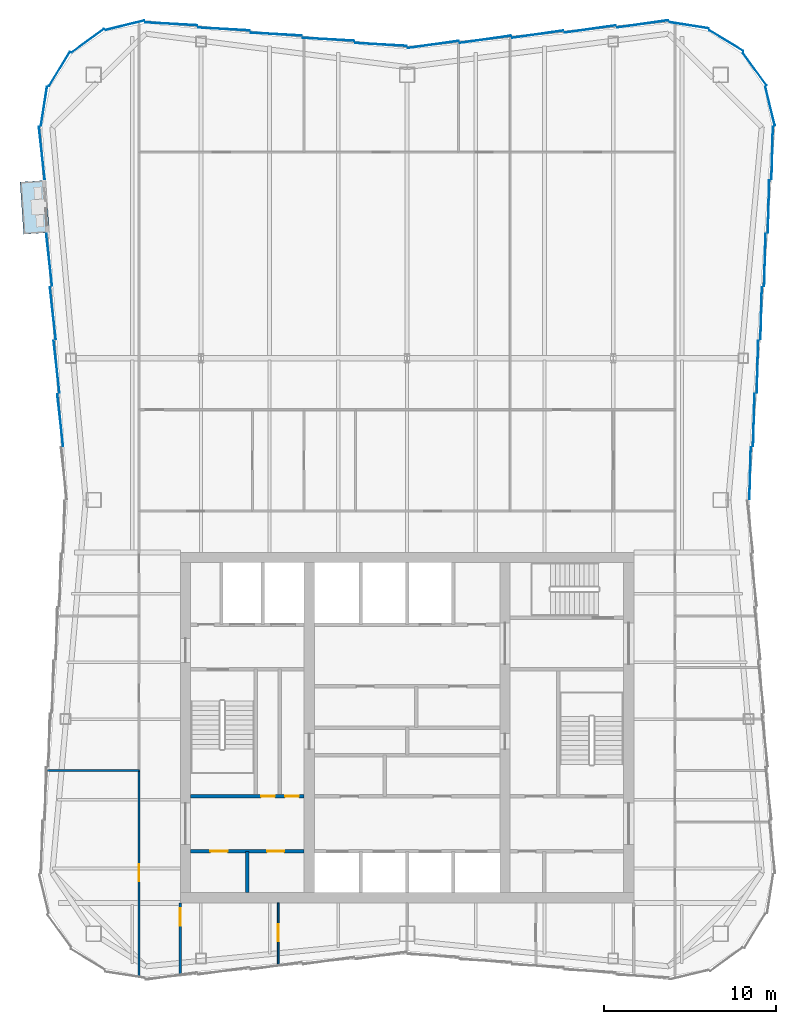
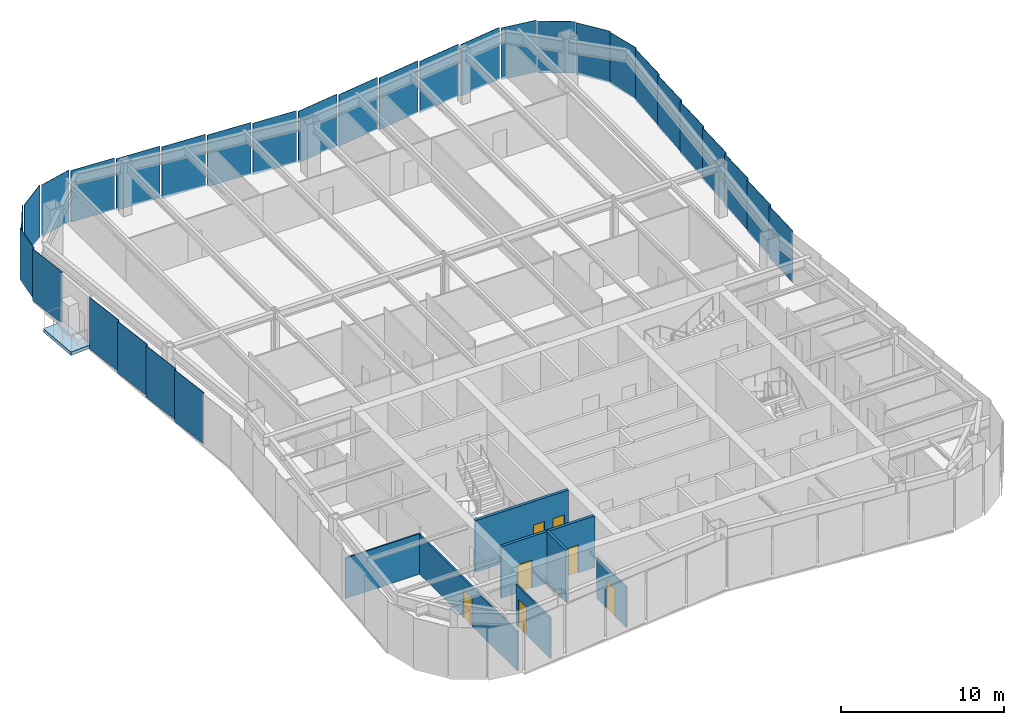
# One storey, part 5 of 11: 30 plates, 7 doors, 7 walls, 1 slab, 7 openings, 5 elements without a shape of their own.
"""IFC4 building model written with IfcOpenShell, lengths in metres."""

from ifc_helpers import new_model, si_unit, direction, frame, frame_2d, origin, origin_2d, place, context, subcontext, project, spatial, polyline, rectangle, outline, extrude, material, layer, layer_set, type_object, element, fill, aggregate, save


model = new_model("IFC4")

# Units and contexts
model_context = context("Model", 3, precision=1e-05, world=origin(), true_north=direction((0.0, 1.0)))
body_context = subcontext(model_context, "Body", "Model", "MODEL_VIEW")
ifc_project = project(units=[si_unit("LENGTHUNIT", "METRE"), si_unit("AREAUNIT", "SQUARE_METRE"), si_unit("VOLUMEUNIT", "CUBIC_METRE"), si_unit("PLANEANGLEUNIT", "RADIAN"), si_unit("MASSUNIT", "GRAM", prefix="KILO")], contexts=[model_context])

# Site, building, storey
site_placement = place(None, origin())
site = spatial("IfcSite", under=ifc_project, at=site_placement, CompositionType="ELEMENT")
building_placement = place(site_placement, origin())
building = spatial("IfcBuilding", under=site, at=building_placement, Name="Verdant Reach Tower", CompositionType="ELEMENT")
storey_placement = place(building_placement, frame((0.0, 0.0, 314.0)))
storey = spatial("IfcBuildingStorey", under=building, at=storey_placement, Name="L72", CompositionType="ELEMENT", Elevation=314.0)

# Slab
ifc_material_1 = material(Name="Concrete C35/45", Category="concrete")
ifc_layer_1 = layer(ifc_material_1, 0.25)
ifc_layer_set_1 = layer_set([ifc_layer_1], Name="EN-BALCONY SLAB")
slab_type = type_object("IfcSlabType", Name="EN-BALCONY SLAB", PredefinedType="FLOOR", material=ifc_layer_set_1)
slab_placement = place(storey_placement, frame((0.0, 0.0, -0.25)))
element("IfcSlab", 1, at=slab_placement, inside=storey, type_object=slab_type, Name="Balcony slab 1, L72", PredefinedType="FLOOR", context=body_context, shape_type="SweptSolid", body=[
    extrude(outline(polyline([(-21.033203125, 59.85791015625), (-20.82373046875, 56.820556640625), (-22.3203125, 56.717529296875), (-22.52978515625, 59.754638671875), (-21.033203125, 59.85791015625)])), origin(), (0.0, 0.0, 1.0), 0.25),
])

# Curtain wall, plates
ifc_material_2 = material(Name="Anodised aluminium", Category="aluminium")
curtain_wall_type = type_object("IfcCurtainWallType", Name="EN-CW SYSTEM Z5", PredefinedType="NOTDEFINED", material=ifc_material_2)
curtain_wall_1_placement = place(storey_placement, origin())
curtain_wall_1 = element("IfcCurtainWall", 2, at=curtain_wall_1_placement, inside=storey, type_object=curtain_wall_type, Name="Curtain wall east, L72", PredefinedType="NOTDEFINED")
ifc_material_3 = material(Name="Tinted glass with champagne spandrel", Category="glass")
ifc_layer_2 = layer(ifc_material_3, 0.031982421875)
ifc_layer_set_2 = layer_set([ifc_layer_2], Name="EN-PANEL CHAMPAGNE")
plate_type_1 = type_object("IfcPlateType", Name="EN-PANEL CHAMPAGNE", PredefinedType="CURTAIN_PANEL", material=ifc_layer_set_2)
plate_1_placement = place(storey_placement, frame((19.971923828125, 42.799560546875, -0.219970703125), z_axis=(0.0, 0.0, 1.0), x_axis=(0.027053006415, 0.999634000444, 0.0)))
plate_1 = element("IfcPlate", 3, at=plate_1_placement, type_object=plate_type_1, Name="Glass panel east face part 2 1.1, L72", PredefinedType="CURTAIN_PANEL", context=body_context, shape_type="SweptSolid", body=[
    extrude(rectangle(XDim=3.04052734375, YDim=0.031982421875, at=origin_2d()), origin(), (0.0, 0.0, 1.0), 3.8701171875),
])
plate_2_placement = place(storey_placement, frame((20.18603515625, 45.90283203125, -0.219970703125), z_axis=(0.0, 0.0, 1.0), x_axis=(0.026965318308, 0.999636369691, 0.0)))
plate_2 = element("IfcPlate", 4, at=plate_2_placement, type_object=plate_type_1, Name="Glass panel east face part 2 2.1, L72", PredefinedType="CURTAIN_PANEL", context=body_context, shape_type="SweptSolid", body=[
    extrude(rectangle(XDim=3.048583984375, YDim=0.031982421875, at=origin_2d()), origin(), (0.0, 0.0, 1.0), 3.8701171875),
])

# Curtain wall, plate
curtain_wall_2_placement = place(storey_placement, origin())
curtain_wall_2 = element("IfcCurtainWall", 5, at=curtain_wall_2_placement, inside=storey, type_object=curtain_wall_type, Name="Curtain wall north-east corner, L72", PredefinedType="NOTDEFINED")
plate_3_placement = place(storey_placement, frame((21.132080078125, 64.173828125, -0.219970703125), z_axis=(0.0, 0.0, 1.0), x_axis=(-0.236471447122, 0.971638438256, 0.0)))
plate_3 = element("IfcPlate", 6, at=plate_3_placement, type_object=plate_type_1, Name="Glass panel north-east corner 1.1, L72", PredefinedType="CURTAIN_PANEL", context=body_context, shape_type="SweptSolid", body=[
    extrude(rectangle(XDim=2.312744140625, YDim=0.031982421875, at=origin_2d()), origin(), (0.0, 0.0, 1.0), 3.8701171875),
])

curtain_wall_3_placement = place(storey_placement, origin())
curtain_wall_3 = element("IfcCurtainWall", 7, at=curtain_wall_3_placement, inside=storey, type_object=curtain_wall_type, Name="Curtain wall north, L72", PredefinedType="NOTDEFINED")
plate_4_placement = place(storey_placement, frame((1.519287109375, 67.7646484375, -0.219970703125), z_axis=(0.0, 0.0, 1.0), x_axis=(-0.990200074141, -0.139656053116, 0.0)))
plate_4 = element("IfcPlate", 8, at=plate_4_placement, type_object=plate_type_1, Name="Glass panel north face part 1 5.1, L72", PredefinedType="CURTAIN_PANEL", context=body_context, shape_type="SweptSolid", body=[
    extrude(rectangle(XDim=2.987548828125, YDim=0.031982421875, at=origin_2d()), origin(), (0.0, 0.0, 1.0), 3.8701171875),
])

# Curtain wall, plates
curtain_wall_4_placement = place(storey_placement, origin())
curtain_wall_4 = element("IfcCurtainWall", 9, at=curtain_wall_4_placement, inside=storey, type_object=curtain_wall_type, Name="Curtain wall west, L72", PredefinedType="NOTDEFINED")
plate_5_placement = place(storey_placement, frame((-20.8291015625, 55.22412109375, -0.219970703125), z_axis=(0.0, 0.0, 1.0), x_axis=(0.110518162674, -0.993874104562, 0.0)))
plate_5 = element("IfcPlate", 10, at=plate_5_placement, type_object=plate_type_1, Name="Glass panel west face part 1 3.1, L72", PredefinedType="CURTAIN_PANEL", context=body_context, shape_type="SweptSolid", body=[
    extrude(rectangle(XDim=3.048583984375, YDim=0.031982421875, at=origin_2d()), origin(), (0.0, 0.0, 1.0), 3.8701171875),
])
plate_6_placement = place(storey_placement, frame((-20.61474609375, 52.1171875, -0.219970703125), z_axis=(0.0, 0.0, 1.0), x_axis=(0.110518162674, -0.993874104562, 0.0)))
plate_6 = element("IfcPlate", 11, at=plate_6_placement, type_object=plate_type_1, Name="Glass panel west face part 1 4.1, L72", PredefinedType="CURTAIN_PANEL", context=body_context, shape_type="SweptSolid", body=[
    extrude(rectangle(XDim=3.048583984375, YDim=0.031982421875, at=origin_2d()), origin(), (0.0, 0.0, 1.0), 3.8701171875),
])
plate_7_placement = place(storey_placement, frame((-20.400390625, 49.010009765625, -0.219970703125), z_axis=(0.0, 0.0, 1.0), x_axis=(0.110518162674, -0.993874104562, 0.0)))
plate_7 = element("IfcPlate", 12, at=plate_7_placement, type_object=plate_type_1, Name="Glass panel west face part 1 5.1, L72", PredefinedType="CURTAIN_PANEL", context=body_context, shape_type="SweptSolid", body=[
    extrude(rectangle(XDim=3.048583984375, YDim=0.031982421875, at=origin_2d()), origin(), (0.0, 0.0, 1.0), 3.8701171875),
])

# Plate
ifc_material_4 = material(Name="Tinted glass with copper spandrel", Category="glass")
ifc_layer_3 = layer(ifc_material_4, 0.031982421875)
ifc_layer_set_3 = layer_set([ifc_layer_3], Name="EN-PANEL COPPER")
plate_type_2 = type_object("IfcPlateType", Name="EN-PANEL COPPER", PredefinedType="CURTAIN_PANEL", material=ifc_layer_set_3)
plate_8_placement = place(storey_placement, frame((20.400390625, 49.010009765625, -0.219970703125), z_axis=(0.0, 0.0, 1.0), x_axis=(0.026965318308, 0.999636369691, 0.0)))
plate_8 = element("IfcPlate", 13, at=plate_8_placement, type_object=plate_type_2, Name="Glass panel east face part 2 3.1, L72", PredefinedType="CURTAIN_PANEL", context=body_context, shape_type="SweptSolid", body=[
    extrude(rectangle(XDim=3.048583984375, YDim=0.031982421875, at=origin_2d()), origin(), (0.0, 0.0, 1.0), 3.8701171875),
])

plate_9_placement = place(storey_placement, frame((20.61474609375, 52.1171875, -0.219970703125), z_axis=(0.0, 0.0, 1.0), x_axis=(0.026965318308, 0.999636369691, 0.0)))
plate_9 = element("IfcPlate", 14, at=plate_9_placement, type_object=plate_type_2, Name="Glass panel east face part 2 4.1, L72", PredefinedType="CURTAIN_PANEL", context=body_context, shape_type="SweptSolid", body=[
    extrude(rectangle(XDim=3.048583984375, YDim=0.031982421875, at=origin_2d()), origin(), (0.0, 0.0, 1.0), 3.8701171875),
])

plate_10_placement = place(storey_placement, frame((20.8291015625, 55.22412109375, -0.219970703125), z_axis=(0.0, 0.0, 1.0), x_axis=(0.026965318308, 0.999636369691, 0.0)))
plate_10 = element("IfcPlate", 15, at=plate_10_placement, type_object=plate_type_2, Name="Glass panel east face part 2 5.1, L72", PredefinedType="CURTAIN_PANEL", context=body_context, shape_type="SweptSolid", body=[
    extrude(rectangle(XDim=3.048583984375, YDim=0.031982421875, at=origin_2d()), origin(), (0.0, 0.0, 1.0), 3.8701171875),
])

plate_11_placement = place(storey_placement, frame((20.23681640625, 66.33203125, -0.219970703125), z_axis=(0.0, 0.0, 1.0), x_axis=(-0.58992672698, 0.807456783236, 0.0)))
plate_11 = element("IfcPlate", 16, at=plate_11_placement, type_object=plate_type_2, Name="Glass panel north-east corner 2.1, L72", PredefinedType="CURTAIN_PANEL", context=body_context, shape_type="SweptSolid", body=[
    extrude(rectangle(XDim=2.320068359375, YDim=0.031982421875, at=origin_2d()), origin(), (0.0, 0.0, 1.0), 3.8701171875),
])

plate_12_placement = place(storey_placement, frame((18.58203125, 67.98681640625, -0.219970703125), z_axis=(0.0, 0.0, 1.0), x_axis=(-0.853988714885, 0.520291528711, 0.0)))
plate_12 = element("IfcPlate", 17, at=plate_12_placement, type_object=plate_type_2, Name="Glass panel north-east corner 3.1, L72", PredefinedType="CURTAIN_PANEL", context=body_context, shape_type="SweptSolid", body=[
    extrude(rectangle(XDim=2.320068359375, YDim=0.031982421875, at=origin_2d()), origin(), (0.0, 0.0, 1.0), 3.8701171875),
])

plate_13_placement = place(storey_placement, frame((13.72216796875, 68.964599609375, -0.219970703125), z_axis=(0.0, 0.0, 1.0), x_axis=(-0.990281521639, -0.139077345032, 0.0)))
plate_13 = element("IfcPlate", 18, at=plate_13_placement, type_object=plate_type_2, Name="Glass panel north face part 1 1.1, L72", PredefinedType="CURTAIN_PANEL", context=body_context, shape_type="SweptSolid", body=[
    extrude(rectangle(XDim=3.015625, YDim=0.031982421875, at=origin_2d()), origin(), (0.0, 0.0, 1.0), 3.8701171875),
])

plate_14_placement = place(storey_placement, frame((-1.519287109375, 67.7646484375, -0.219970703125), z_axis=(0.0, 0.0, 1.0), x_axis=(-0.998413420442, 0.05630845301, 0.0)))
plate_14 = element("IfcPlate", 19, at=plate_14_placement, type_object=plate_type_2, Name="Glass panel north face part 2 1.1, L72", PredefinedType="CURTAIN_PANEL", context=body_context, shape_type="SweptSolid", body=[
    extrude(rectangle(XDim=2.987548828125, YDim=0.031982421875, at=origin_2d()), origin(), (0.0, 0.0, 1.0), 3.8701171875),
])

plate_15_placement = place(storey_placement, frame((-4.563720703125, 68.064453125, -0.219970703125), z_axis=(0.0, 0.0, 1.0), x_axis=(-0.998423588956, 0.056127863106, 0.0)))
plate_15 = element("IfcPlate", 20, at=plate_15_placement, type_object=plate_type_2, Name="Glass panel north face part 2 2.1, L72", PredefinedType="CURTAIN_PANEL", context=body_context, shape_type="SweptSolid", body=[
    extrude(rectangle(XDim=2.998779296875, YDim=0.031982421875, at=origin_2d()), origin(), (0.0, 0.0, 1.0), 3.8701171875),
])

plate_16_placement = place(storey_placement, frame((-7.61376953125, 68.364501953125, -0.219970703125), z_axis=(0.0, 0.0, 1.0), x_axis=(-0.998423588956, 0.056127863106, 0.0)))
plate_16 = element("IfcPlate", 21, at=plate_16_placement, type_object=plate_type_2, Name="Glass panel north face part 2 3.1, L72", PredefinedType="CURTAIN_PANEL", context=body_context, shape_type="SweptSolid", body=[
    extrude(rectangle(XDim=2.998779296875, YDim=0.031982421875, at=origin_2d()), origin(), (0.0, 0.0, 1.0), 3.8701171875),
])

# Curtain wall, plate
curtain_wall_5_placement = place(storey_placement, origin())
curtain_wall_5 = element("IfcCurtainWall", 22, at=curtain_wall_5_placement, inside=storey, type_object=curtain_wall_type, Name="Curtain wall north-west corner, L72", PredefinedType="NOTDEFINED")
plate_17_placement = place(storey_placement, frame((-16.4228515625, 68.88232421875, -0.219970703125), z_axis=(0.0, 0.0, 1.0), x_axis=(-0.971661765526, -0.236375577028, 0.0)))
plate_17 = element("IfcPlate", 23, at=plate_17_placement, type_object=plate_type_2, Name="Glass panel north-west corner 1.1, L72", PredefinedType="CURTAIN_PANEL", context=body_context, shape_type="SweptSolid", body=[
    extrude(rectangle(XDim=2.314453125, YDim=0.031982421875, at=origin_2d()), origin(), (0.0, 0.0, 1.0), 3.8701171875),
])

# Plate
plate_18_placement = place(storey_placement, frame((-20.18603515625, 45.90283203125, -0.219970703125), z_axis=(0.0, 0.0, 1.0), x_axis=(0.110518162674, -0.993874104562, 0.0)))
plate_18 = element("IfcPlate", 24, at=plate_18_placement, type_object=plate_type_2, Name="Glass panel west face part 1 6.1, L72", PredefinedType="CURTAIN_PANEL", context=body_context, shape_type="SweptSolid", body=[
    extrude(rectangle(XDim=3.048583984375, YDim=0.031982421875, at=origin_2d()), origin(), (0.0, 0.0, 1.0), 3.8701171875),
])

ifc_material_5 = material(Name="Tinted glass with dark bronze spandrel", Category="glass")
ifc_layer_4 = layer(ifc_material_5, 0.031982421875)
ifc_layer_set_4 = layer_set([ifc_layer_4], Name="EN-PANEL DARK")
plate_type_3 = type_object("IfcPlateType", Name="EN-PANEL DARK", PredefinedType="CURTAIN_PANEL", material=ifc_layer_set_4)
plate_19_placement = place(storey_placement, frame((21.043212890625, 58.331298828125, -0.219970703125), z_axis=(0.0, 0.0, 1.0), x_axis=(0.026965318308, 0.999636369691, 0.0)))
plate_19 = element("IfcPlate", 25, at=plate_19_placement, type_object=plate_type_3, Name="Glass panel east face part 2 6.1, L72", PredefinedType="CURTAIN_PANEL", context=body_context, shape_type="SweptSolid", body=[
    extrude(rectangle(XDim=3.048583984375, YDim=0.031982421875, at=origin_2d()), origin(), (0.0, 0.0, 1.0), 3.8701171875),
])

plate_20_placement = place(storey_placement, frame((21.257568359375, 61.446044921875, -0.219970703125), z_axis=(0.0, 0.0, 1.0), x_axis=(0.026642881595, 0.999645015423, 0.0)))
plate_20 = element("IfcPlate", 26, at=plate_20_placement, type_object=plate_type_3, Name="Glass panel east face part 2 7.1, L72", PredefinedType="CURTAIN_PANEL", context=body_context, shape_type="SweptSolid", body=[
    extrude(rectangle(XDim=3.063720703125, YDim=0.031982421875, at=origin_2d()), origin(), (0.0, 0.0, 1.0), 3.8701171875),
])

aggregate(curtain_wall_1, [plate_1, plate_2, plate_8, plate_9, plate_10, plate_19, plate_20])

plate_21_placement = place(storey_placement, frame((16.4228515625, 68.88232421875, -0.219970703125), z_axis=(0.0, 0.0, 1.0), x_axis=(-0.988033409454, 0.154240013621, 0.0)))
plate_21 = element("IfcPlate", 27, at=plate_21_placement, type_object=plate_type_3, Name="Glass panel north-east corner 4.1, L72", PredefinedType="CURTAIN_PANEL", context=body_context, shape_type="SweptSolid", body=[
    extrude(rectangle(XDim=2.314453125, YDim=0.031982421875, at=origin_2d()), origin(), (0.0, 0.0, 1.0), 3.8701171875),
])

aggregate(curtain_wall_2, [plate_3, plate_11, plate_12, plate_21])

plate_22_placement = place(storey_placement, frame((10.663818359375, 68.66455078125, -0.219970703125), z_axis=(0.0, 0.0, 1.0), x_axis=(-0.990225318365, -0.139476947446, 0.0)))
plate_22 = element("IfcPlate", 28, at=plate_22_placement, type_object=plate_type_3, Name="Glass panel north face part 1 2.1, L72", PredefinedType="CURTAIN_PANEL", context=body_context, shape_type="SweptSolid", body=[
    extrude(rectangle(XDim=2.998779296875, YDim=0.031982421875, at=origin_2d()), origin(), (0.0, 0.0, 1.0), 3.8701171875),
])

plate_23_placement = place(storey_placement, frame((7.61376953125, 68.364501953125, -0.219970703125), z_axis=(0.0, 0.0, 1.0), x_axis=(-0.990225318365, -0.139476947446, 0.0)))
plate_23 = element("IfcPlate", 29, at=plate_23_placement, type_object=plate_type_3, Name="Glass panel north face part 1 3.1, L72", PredefinedType="CURTAIN_PANEL", context=body_context, shape_type="SweptSolid", body=[
    extrude(rectangle(XDim=2.998779296875, YDim=0.031982421875, at=origin_2d()), origin(), (0.0, 0.0, 1.0), 3.8701171875),
])

plate_24_placement = place(storey_placement, frame((4.563720703125, 68.064453125, -0.219970703125), z_axis=(0.0, 0.0, 1.0), x_axis=(-0.990225318365, -0.139476947446, 0.0)))
plate_24 = element("IfcPlate", 30, at=plate_24_placement, type_object=plate_type_3, Name="Glass panel north face part 1 4.1, L72", PredefinedType="CURTAIN_PANEL", context=body_context, shape_type="SweptSolid", body=[
    extrude(rectangle(XDim=2.998779296875, YDim=0.031982421875, at=origin_2d()), origin(), (0.0, 0.0, 1.0), 3.8701171875),
])

plate_25_placement = place(storey_placement, frame((-10.663818359375, 68.66455078125, -0.219970703125), z_axis=(0.0, 0.0, 1.0), x_axis=(-0.998423588956, 0.056127863106, 0.0)))
plate_25 = element("IfcPlate", 31, at=plate_25_placement, type_object=plate_type_3, Name="Glass panel north face part 2 4.1, L72", PredefinedType="CURTAIN_PANEL", context=body_context, shape_type="SweptSolid", body=[
    extrude(rectangle(XDim=2.998779296875, YDim=0.031982421875, at=origin_2d()), origin(), (0.0, 0.0, 1.0), 3.8701171875),
])

plate_26_placement = place(storey_placement, frame((-13.72216796875, 68.964599609375, -0.219970703125), z_axis=(0.0, 0.0, 1.0), x_axis=(-0.998446157248, 0.055724959185, 0.0)))
plate_26 = element("IfcPlate", 32, at=plate_26_placement, type_object=plate_type_3, Name="Glass panel north face part 2 5.1, L72", PredefinedType="CURTAIN_PANEL", context=body_context, shape_type="SweptSolid", body=[
    extrude(rectangle(XDim=3.015625, YDim=0.031982421875, at=origin_2d()), origin(), (0.0, 0.0, 1.0), 3.8701171875),
])

aggregate(curtain_wall_3, [plate_13, plate_22, plate_23, plate_24, plate_4, plate_14, plate_15, plate_16, plate_25, plate_26])

plate_27_placement = place(storey_placement, frame((-18.58203125, 67.98681640625, -0.219970703125), z_axis=(0.0, 0.0, 1.0), x_axis=(-0.807456783236, -0.58992672698, 0.0)))
plate_27 = element("IfcPlate", 33, at=plate_27_placement, type_object=plate_type_3, Name="Glass panel north-west corner 2.1, L72", PredefinedType="CURTAIN_PANEL", context=body_context, shape_type="SweptSolid", body=[
    extrude(rectangle(XDim=2.320068359375, YDim=0.031982421875, at=origin_2d()), origin(), (0.0, 0.0, 1.0), 3.8701171875),
])

plate_28_placement = place(storey_placement, frame((-20.23681640625, 66.33203125, -0.219970703125), z_axis=(0.0, 0.0, 1.0), x_axis=(-0.520291528711, -0.853988714885, 0.0)))
plate_28 = element("IfcPlate", 34, at=plate_28_placement, type_object=plate_type_3, Name="Glass panel north-west corner 3.1, L72", PredefinedType="CURTAIN_PANEL", context=body_context, shape_type="SweptSolid", body=[
    extrude(rectangle(XDim=2.320068359375, YDim=0.031982421875, at=origin_2d()), origin(), (0.0, 0.0, 1.0), 3.8701171875),
])

plate_29_placement = place(storey_placement, frame((-21.132080078125, 64.173828125, -0.219970703125), z_axis=(0.0, 0.0, 1.0), x_axis=(-0.154337499461, -0.988018186199, 0.0)))
plate_29 = element("IfcPlate", 35, at=plate_29_placement, type_object=plate_type_3, Name="Glass panel north-west corner 4.1, L72", PredefinedType="CURTAIN_PANEL", context=body_context, shape_type="SweptSolid", body=[
    extrude(rectangle(XDim=2.312744140625, YDim=0.031982421875, at=origin_2d()), origin(), (0.0, 0.0, 1.0), 3.8701171875),
])

aggregate(curtain_wall_5, [plate_17, plate_27, plate_28, plate_29])

plate_30_placement = place(storey_placement, frame((-21.257568359375, 61.446044921875, -0.219970703125), z_axis=(0.0, 0.0, 1.0), x_axis=(0.110197580247, -0.993909700782, 0.0)))
plate_30 = element("IfcPlate", 36, at=plate_30_placement, type_object=plate_type_3, Name="Glass panel west face part 1 1.1, L72", PredefinedType="CURTAIN_PANEL", context=body_context, shape_type="SweptSolid", body=[
    extrude(rectangle(XDim=3.063720703125, YDim=0.031982421875, at=origin_2d()), origin(), (0.0, 0.0, 1.0), 3.8701171875),
])

aggregate(curtain_wall_4, [plate_30, plate_5, plate_6, plate_7, plate_18])

# Wall, openings, doors
ifc_material_6 = material(Name="Gypsum board on steel studs", Category="steel")
ifc_layer_5 = layer(ifc_material_6, 0.199951171875)
ifc_layer_set_5 = layer_set([ifc_layer_5], Name="CO-WALL-ROOM")
wall_type_1 = type_object("IfcWallType", Name="CO-WALL-ROOM", PredefinedType="PARTITIONING", material=ifc_layer_set_5)
wall_1_placement = place(storey_placement, frame((-12.60009765625, 20.800048828125, 0.0), z_axis=(0.0, 0.0, 1.0), x_axis=(1.0, 0.0, 0.0)))
wall_1 = element("IfcWall", 37, at=wall_1_placement, inside=storey, type_object=wall_type_1, Name="Core partition, L72", PredefinedType="PARTITIONING", context=body_context, shape_type="SweptSolid", body=[
    extrude(rectangle(XDim=6.60009765625, YDim=0.199951171875, at=frame_2d((3.300048828125, 0.0))), origin(), (0.0, 0.0, 1.0), 3.8701171875),
])
opening_1_placement = place(wall_1_placement, frame((1.14990234375, 0.0, 0.0)))
opening_1 = element("IfcOpeningElement", 38, at=opening_1_placement, cuts=wall_1, Name="Opening CD", PredefinedType="OPENING", context=body_context, shape_type="SweptSolid", body=[
    extrude(rectangle(XDim=1.0, YDim=2.10009765625, at=frame_2d((0.5, 1.050048828125))), frame((0.0, 0.10986328125, 0.0), z_axis=(0.0, -1.0, 0.0), x_axis=(1.0, 0.0, 0.0)), (0.0, 0.0, 1.0), 0.219970703125),
])
opening_2_placement = place(wall_1_placement, frame((4.449951171875, 0.0, 0.0)))
opening_2 = element("IfcOpeningElement", 39, at=opening_2_placement, cuts=wall_1, Name="Opening CD", PredefinedType="OPENING", context=body_context, shape_type="SweptSolid", body=[
    extrude(rectangle(XDim=1.0, YDim=2.10009765625, at=frame_2d((0.5, 1.050048828125))), frame((0.0, 0.10986328125, 0.0), z_axis=(0.0, -1.0, 0.0), x_axis=(1.0, 0.0, 0.0)), (0.0, 0.0, 1.0), 0.219970703125),
])
ifc_material_7 = material(Name="Timber", Category="wood")
door_type_1 = type_object("IfcDoorType", Name="CO-DOOR-ROOM", OperationType="NOTDEFINED", PredefinedType="DOOR", material=ifc_material_7)
door_1_placement = place(opening_1_placement, origin())
door_1 = element("IfcDoor", 40, at=door_1_placement, inside=storey, type_object=door_type_1, Name="Core room door, L72", OperationType="SINGLE_SWING_LEFT", OverallHeight=2.10009765625, OverallWidth=1.0, PredefinedType="DOOR", context=body_context, shape_type="SweptSolid", body=[
    extrude(rectangle(XDim=1.0, YDim=2.10009765625, at=frame_2d((0.5, 1.050048828125))), frame((0.0, 0.02490234375, 0.0), z_axis=(0.0, -1.0, 0.0), x_axis=(1.0, 0.0, 0.0)), (0.0, 0.0, 1.0), 0.050048828125),
])
fill(opening_1, door_1)
door_2_placement = place(opening_2_placement, origin())
door_2 = element("IfcDoor", 41, at=door_2_placement, inside=storey, type_object=door_type_1, Name="Core room door, L72", OperationType="SINGLE_SWING_LEFT", OverallHeight=2.10009765625, OverallWidth=1.0, PredefinedType="DOOR", context=body_context, shape_type="SweptSolid", body=[
    extrude(rectangle(XDim=1.0, YDim=2.10009765625, at=frame_2d((0.5, 1.050048828125))), frame((0.0, 0.02490234375, 0.0), z_axis=(0.0, -1.0, 0.0), x_axis=(1.0, 0.0, 0.0)), (0.0, 0.0, 1.0), 0.050048828125),
])
fill(opening_2, door_2)

# Wall
wall_2_placement = place(storey_placement, frame((-9.300048828125, 18.39990234375, 0.0), z_axis=(0.0, 0.0, 1.0), x_axis=(0.0, 1.0, 0.0)))
element("IfcWall", 42, at=wall_2_placement, inside=storey, type_object=wall_type_1, Name="Core partition, L72", PredefinedType="PARTITIONING", context=body_context, shape_type="SweptSolid", body=[
    extrude(rectangle(XDim=2.400146484375, YDim=0.199951171875, at=frame_2d((1.2001953125, 0.0))), origin(), (0.0, 0.0, 1.0), 3.8701171875),
])

# Wall, openings, doors
ifc_material_8 = material(Name="Concrete C40/50", Category="concrete")
ifc_layer_6 = layer(ifc_material_8, 0.199951171875)
ifc_layer_set_6 = layer_set([ifc_layer_6], Name="CO-WALL-STAIR")
wall_type_2 = type_object("IfcWallType", Name="CO-WALL-STAIR", PredefinedType="PARTITIONING", material=ifc_layer_set_6)
wall_3_placement = place(storey_placement, frame((-12.60009765625, 24.0, 0.0), z_axis=(0.0, 0.0, 1.0), x_axis=(1.0, 0.0, 0.0)))
wall_3 = element("IfcWall", 43, at=wall_3_placement, inside=storey, type_object=wall_type_2, Name="Stair enclosure wall, L72", PredefinedType="PARTITIONING", context=body_context, shape_type="SweptSolid", body=[
    extrude(rectangle(XDim=6.60009765625, YDim=0.199951171875, at=frame_2d((3.300048828125, 0.0))), origin(), (0.0, 0.0, 1.0), 3.8701171875),
])
opening_3_placement = place(wall_3_placement, frame((4.10009765625, 0.0, 0.0)))
opening_3 = element("IfcOpeningElement", 44, at=opening_3_placement, cuts=wall_3, Name="Opening CDN", PredefinedType="OPENING", context=body_context, shape_type="SweptSolid", body=[
    extrude(rectangle(XDim=0.800048828125, YDim=2.10009765625, at=frame_2d((0.39990234375, 1.050048828125))), frame((0.0, 0.10986328125, 0.0), z_axis=(0.0, -1.0, 0.0), x_axis=(1.0, 0.0, 0.0)), (0.0, 0.0, 1.0), 0.219970703125),
])
opening_4_placement = place(wall_3_placement, frame((5.5, 0.0, 0.0)))
opening_4 = element("IfcOpeningElement", 45, at=opening_4_placement, cuts=wall_3, Name="Opening CDN", PredefinedType="OPENING", context=body_context, shape_type="SweptSolid", body=[
    extrude(rectangle(XDim=0.800048828125, YDim=2.10009765625, at=frame_2d((0.39990234375, 1.050048828125))), frame((0.0, 0.10986328125, 0.0), z_axis=(0.0, -1.0, 0.0), x_axis=(1.0, 0.0, 0.0)), (0.0, 0.0, 1.0), 0.219970703125),
])
door_type_2 = type_object("IfcDoorType", Name="CO-DOOR-ROOM-NARROW", OperationType="NOTDEFINED", PredefinedType="DOOR", material=ifc_material_7)
door_3_placement = place(opening_3_placement, origin())
door_3 = element("IfcDoor", 46, at=door_3_placement, inside=storey, type_object=door_type_2, Name="Core room door, L72", OperationType="SINGLE_SWING_LEFT", OverallHeight=2.10009765625, OverallWidth=0.800048828125, PredefinedType="DOOR", context=body_context, shape_type="SweptSolid", body=[
    extrude(rectangle(XDim=0.800048828125, YDim=2.10009765625, at=frame_2d((0.39990234375, 1.050048828125))), frame((0.0, 0.02490234375, 0.0), z_axis=(0.0, -1.0, 0.0), x_axis=(1.0, 0.0, 0.0)), (0.0, 0.0, 1.0), 0.050048828125),
])
fill(opening_3, door_3)
door_4_placement = place(opening_4_placement, origin())
door_4 = element("IfcDoor", 47, at=door_4_placement, inside=storey, type_object=door_type_2, Name="Core room door, L72", OperationType="SINGLE_SWING_RIGHT", OverallHeight=2.10009765625, OverallWidth=0.800048828125, PredefinedType="DOOR", context=body_context, shape_type="SweptSolid", body=[
    extrude(rectangle(XDim=0.800048828125, YDim=2.10009765625, at=frame_2d((0.39990234375, 1.050048828125))), frame((0.0, 0.02490234375, 0.0), z_axis=(0.0, -1.0, 0.0), x_axis=(1.0, 0.0, 0.0)), (0.0, 0.0, 1.0), 0.050048828125),
])
fill(opening_4, door_4)

# Wall
ifc_layer_7 = layer(ifc_material_6, 0.10009765625)
ifc_layer_set_7 = layer_set([ifc_layer_7], Name="FL-W1 Partition 100")
wall_type_3 = type_object("IfcWallType", Name="FL-W1 Partition 100", PredefinedType="PARTITIONING", material=ifc_layer_set_7)
wall_4_placement = place(storey_placement, frame((-15.60009765625, 25.5, 0.0), z_axis=(0.0, 0.0, 1.0), x_axis=(-1.0, 0.0, 0.0)))
element("IfcWall", 48, at=wall_4_placement, inside=storey, type_object=wall_type_3, Name="Partition 72.18", PredefinedType="PARTITIONING", context=body_context, shape_type="SweptSolid", body=[
    extrude(rectangle(XDim=5.316162109375, YDim=0.10009765625, at=frame_2d((2.658203125, 0.0))), origin(), (0.0, 0.0, 1.0), 3.0400390625),
])

# Wall, opening, door
wall_5_placement = place(storey_placement, frame((-7.5, 17.800048828125, 0.0), z_axis=(0.0, 0.0, 1.0), x_axis=(0.0, -1.0, 0.0)))
wall_5 = element("IfcWall", 49, at=wall_5_placement, inside=storey, type_object=wall_type_3, Name="Partition 72.31", PredefinedType="PARTITIONING", context=body_context, shape_type="SweptSolid", body=[
    extrude(rectangle(XDim=3.61767578125, YDim=0.10009765625, at=frame_2d((1.808837890625, 0.0))), origin(), (0.0, 0.0, 1.0), 3.0400390625),
])
opening_5_placement = place(wall_5_placement, frame((1.24365234375, 0.0, 0.0)))
opening_5 = element("IfcOpeningElement", 50, at=opening_5_placement, cuts=wall_5, Name="Opening D3", PredefinedType="OPENING", context=body_context, shape_type="SweptSolid", body=[
    extrude(rectangle(XDim=1.0, YDim=2.10009765625, at=frame_2d((0.5, 1.050048828125))), frame((0.0, 0.06005859375, 0.0), z_axis=(0.0, -1.0, 0.0), x_axis=(1.0, 0.0, 0.0)), (0.0, 0.0, 1.0), 0.1201171875),
])
ifc_material_9 = material(Name="Painted timber door leaf", Category="wood")
door_type_3 = type_object("IfcDoorType", Name="FL-D3 Door 1000x2100", OperationType="NOTDEFINED", PredefinedType="DOOR", material=ifc_material_9)
door_5_placement = place(opening_5_placement, origin())
door_5 = element("IfcDoor", 51, at=door_5_placement, inside=storey, type_object=door_type_3, Name="Door 72-015", OperationType="SINGLE_SWING_LEFT", OverallHeight=2.10009765625, OverallWidth=1.0, PredefinedType="DOOR", context=body_context, shape_type="SweptSolid", body=[
    extrude(rectangle(XDim=1.0, YDim=2.10009765625, at=frame_2d((0.5, 1.050048828125))), frame((0.0, 0.02490234375, 0.0), z_axis=(0.0, -1.0, 0.0), x_axis=(1.0, 0.0, 0.0)), (0.0, 0.0, 1.0), 0.050048828125),
])
fill(opening_5, door_5)

ifc_material_10 = material(Name="Gypsum board on steel studs, fire rated", Category="steel")
ifc_layer_8 = layer(ifc_material_10, 0.125)
ifc_layer_set_8 = layer_set([ifc_layer_8], Name="FL-W2 Corridor wall 125")
wall_type_4 = type_object("IfcWallType", Name="FL-W2 Corridor wall 125", PredefinedType="PARTITIONING", material=ifc_layer_set_8)
wall_6_placement = place(storey_placement, frame((-15.60009765625, 13.489501953125, 0.0), z_axis=(0.0, 0.0, 1.0), x_axis=(0.0, 1.0, 0.0)))
wall_6 = element("IfcWall", 52, at=wall_6_placement, inside=storey, type_object=wall_type_4, Name="Partition 72.01", PredefinedType="PARTITIONING", context=body_context, shape_type="SweptSolid", body=[
    extrude(rectangle(XDim=12.010498046875, YDim=0.125, at=frame_2d((6.00537109375, 0.0))), origin(), (0.0, 0.0, 1.0), 2.929931640625),
])
opening_6_placement = place(wall_6_placement, frame((5.57080078125, 0.0, 0.0)))
opening_6 = element("IfcOpeningElement", 53, at=opening_6_placement, cuts=wall_6, Name="Opening D2", PredefinedType="OPENING", context=body_context, shape_type="SweptSolid", body=[
    extrude(rectangle(XDim=1.0, YDim=2.10009765625, at=frame_2d((0.5, 1.050048828125))), frame((0.0, 0.072509765625, 0.0), z_axis=(0.0, -1.0, 0.0), x_axis=(1.0, 0.0, 0.0)), (0.0, 0.0, 1.0), 0.14501953125),
])
ifc_material_11 = material(Name="Timber door leaf, fire rated", Category="wood")
door_type_4 = type_object("IfcDoorType", Name="FL-D2 Entrance door 1000x2100 FD30", OperationType="NOTDEFINED", PredefinedType="DOOR", material=ifc_material_11)
door_6_placement = place(opening_6_placement, origin())
door_6 = element("IfcDoor", 54, at=door_6_placement, inside=storey, type_object=door_type_4, Name="Door 72-001", OperationType="SINGLE_SWING_RIGHT", OverallHeight=2.10009765625, OverallWidth=1.0, PredefinedType="DOOR", context=body_context, shape_type="SweptSolid", body=[
    extrude(rectangle(XDim=1.0, YDim=2.10009765625, at=frame_2d((0.5, 1.050048828125))), frame((0.0, 0.02490234375, 0.0), z_axis=(0.0, -1.0, 0.0), x_axis=(1.0, 0.0, 0.0)), (0.0, 0.0, 1.0), 0.050048828125),
])
fill(opening_6, door_6)

wall_7_placement = place(storey_placement, frame((-13.199951171875, 17.800048828125, 0.0), z_axis=(0.0, 0.0, 1.0), x_axis=(0.0, -1.0, 0.0)))
wall_7 = element("IfcWall", 55, at=wall_7_placement, inside=storey, type_object=wall_type_4, Name="Partition 72.10", PredefinedType="PARTITIONING", context=body_context, shape_type="SweptSolid", body=[
    extrude(rectangle(XDim=4.178466796875, YDim=0.125, at=frame_2d((2.08935546875, 0.0))), origin(), (0.0, 0.0, 1.0), 3.0400390625),
])
opening_7_placement = place(wall_7_placement, frame((0.32421875, 0.0, 0.0)))
opening_7 = element("IfcOpeningElement", 56, at=opening_7_placement, cuts=wall_7, Name="Opening D2", PredefinedType="OPENING", context=body_context, shape_type="SweptSolid", body=[
    extrude(rectangle(XDim=1.0, YDim=2.10009765625, at=frame_2d((0.5, 1.050048828125))), frame((0.0, 0.072509765625, 0.0), z_axis=(0.0, -1.0, 0.0), x_axis=(1.0, 0.0, 0.0)), (0.0, 0.0, 1.0), 0.14501953125),
])
door_7_placement = place(opening_7_placement, origin())
door_7 = element("IfcDoor", 57, at=door_7_placement, inside=storey, type_object=door_type_4, Name="Door 72-010", OperationType="SINGLE_SWING_LEFT", OverallHeight=2.10009765625, OverallWidth=1.0, PredefinedType="DOOR", context=body_context, shape_type="SweptSolid", body=[
    extrude(rectangle(XDim=1.0, YDim=2.10009765625, at=frame_2d((0.5, 1.050048828125))), frame((0.0, 0.02490234375, 0.0), z_axis=(0.0, -1.0, 0.0), x_axis=(1.0, 0.0, 0.0)), (0.0, 0.0, 1.0), 0.050048828125),
])
fill(opening_7, door_7)

save(model, "model.ifc")
